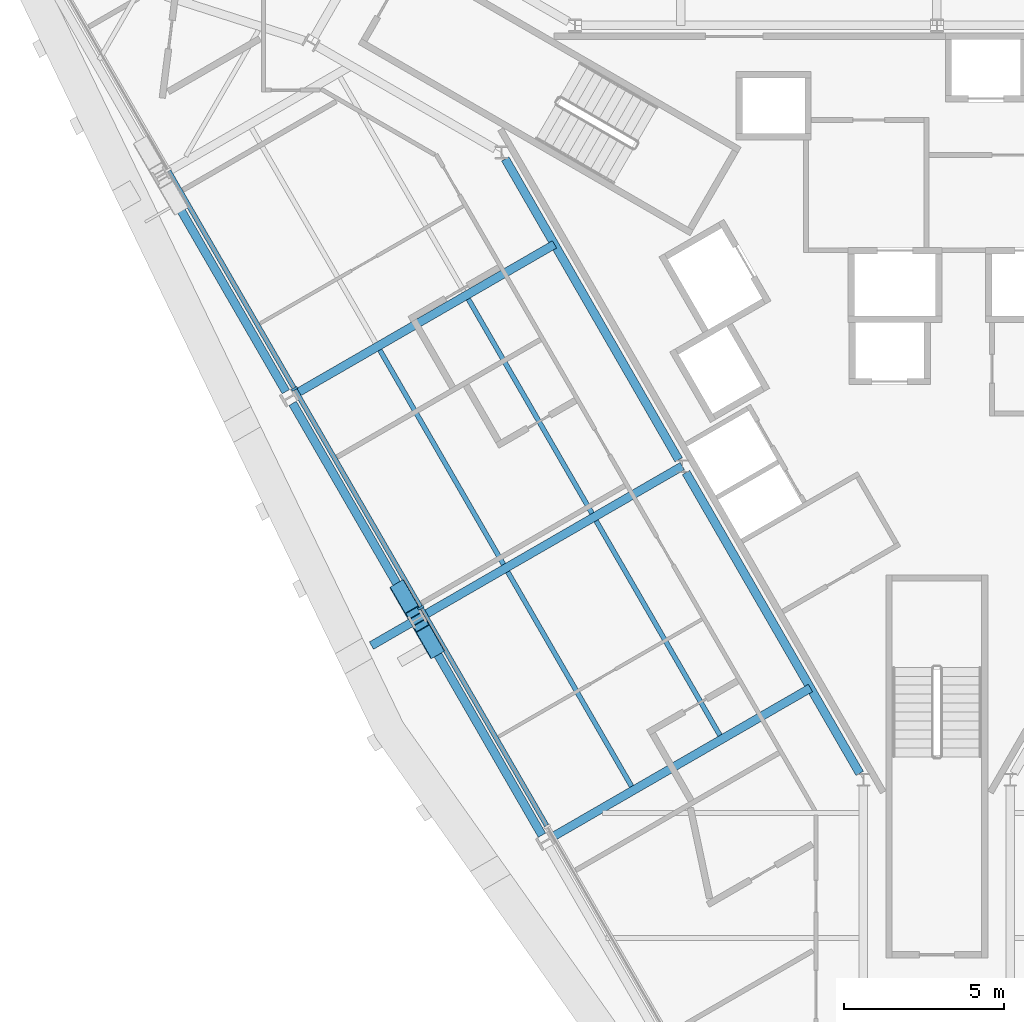
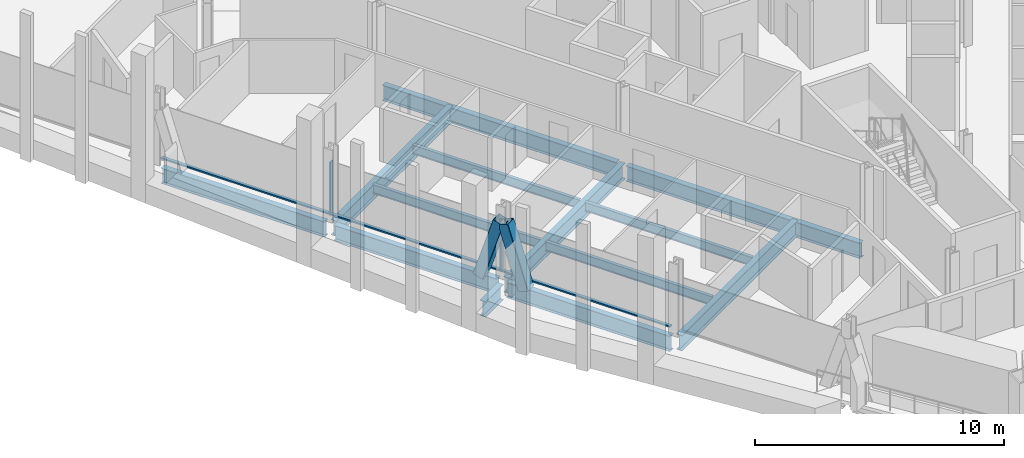
# One storey, part 4 of 16: 13 beams, 7 members, 1 element without a shape of its own.
"""IFC4 building model written with IfcOpenShell, lengths in metres."""

from ifc_helpers import new_model, si_unit, direction, frame, origin, origin_2d, place, context, subcontext, project, spatial, rectangle, hollow_rectangle, i_section, extrude, material, material_profile, profile_set, type_object, element, aggregate, save


model = new_model("IFC4")

# Units and contexts
model_context = context("Model", 3, precision=1e-05, world=origin(), true_north=direction((0.0, 1.0)))
body_context = subcontext(model_context, "Body", "Model", "MODEL_VIEW")
ifc_project = project(units=[si_unit("LENGTHUNIT", "METRE"), si_unit("AREAUNIT", "SQUARE_METRE"), si_unit("VOLUMEUNIT", "CUBIC_METRE"), si_unit("PLANEANGLEUNIT", "RADIAN"), si_unit("MASSUNIT", "GRAM", prefix="KILO")], contexts=[model_context])

# Site, building, storey
site_placement = place(None, origin())
site = spatial("IfcSite", under=ifc_project, at=site_placement, CompositionType="ELEMENT")
building_placement = place(site_placement, origin())
building = spatial("IfcBuilding", under=site, at=building_placement, Name="Verrane Prism Tower", CompositionType="ELEMENT")
storey_placement = place(building_placement, frame((0.0, 0.0, 114.39990234375)))
storey = spatial("IfcBuildingStorey", under=building, at=storey_placement, Name="L27", CompositionType="ELEMENT", Elevation=114.39990234375)

# Beams
ifc_material_1 = material(Name="Steel A992", Category="steel")
ifc_material_profile_1 = material_profile(ifc_material_1, i_section(OverallWidth=0.2666015625, OverallDepth=0.7568359375, WebThickness=0.013916015625, FlangeThickness=0.019287109375, FilletRadius=0.0166015625, at=origin_2d()), Name="W30x108")
ifc_profile_set_1 = profile_set([ifc_material_profile_1], Name="Steel A992")
beam_type_1 = type_object("IfcBeamType", Name="Core ring girder W30x108", PredefinedType="BEAM", material=ifc_profile_set_1)
beam_1_placement = place(storey_placement, frame((-13.51513671875, 5.0205078125, -0.62841796875), z_axis=(0.4993706109, -0.866388476937, 0.0), x_axis=(0.866388476937, 0.4993706109, 0.0)))
element("IfcBeam", 1, at=beam_1_placement, inside=storey, type_object=beam_type_1, Name="Core ring girder L27", PredefinedType="BEAM", context=body_context, shape_type="SweptSolid", body=[
    extrude(i_section(OverallWidth=0.2666015625, OverallDepth=0.7568359375, WebThickness=0.013916015625, FlangeThickness=0.019287109375, FilletRadius=0.0166015625, at=origin_2d()), origin(), (0.0, 0.0, 1.0), 10.8740234375),
])
beam_2_placement = place(storey_placement, frame((-7.85498046875, -4.79931640625, -0.62841796875), z_axis=(0.500034555306, -0.86600545235, 0.0), x_axis=(0.86600545235, 0.500034555306, 0.0)))
element("IfcBeam", 2, at=beam_2_placement, inside=storey, type_object=beam_type_1, Name="Core ring girder L27", PredefinedType="BEAM", context=body_context, shape_type="SweptSolid", body=[
    extrude(i_section(OverallWidth=0.2666015625, OverallDepth=0.7568359375, WebThickness=0.013916015625, FlangeThickness=0.019287109375, FilletRadius=0.0166015625, at=origin_2d()), origin(), (0.0, 0.0, 1.0), 10.879150390625),
])

# Members
ifc_material_2 = material(Name="Steel A1085 Grade A", Category="steel")
ifc_material_profile_2 = material_profile(ifc_material_2, hollow_rectangle(XDim=0.508056640625, YDim=0.508056640625, WallThickness=0.025390625, InnerFilletRadius=0.0126953125, OuterFilletRadius=0.0380859375, at=origin_2d()), Name="HSS20x20x1")
ifc_profile_set_2 = profile_set([ifc_material_profile_2], Name="Steel A1085 Grade A")
member_type_1 = type_object("IfcMemberType", Name="Facade brace HSS20x20x1", PredefinedType="BRACE", material=ifc_profile_set_2)
member_1_placement = place(storey_placement, frame((-16.7958984375, -8.47998046875, -0.242431640625), z_axis=(0.151691609864, -0.262476734873, 0.952940511862), x_axis=(0.865810220422, 0.500372523439, 0.0)))
element("IfcMember", 3, at=member_1_placement, inside=storey, type_object=member_type_1, Name="Facade brace SW2 L27", PredefinedType="BRACE", context=body_context, shape_type="SweptSolid", body=[
    extrude(hollow_rectangle(XDim=0.508056640625, YDim=0.508056640625, WallThickness=0.025390625, InnerFilletRadius=0.0126953125, OuterFilletRadius=0.0380859375, at=origin_2d()), origin(), (0.0, 0.0, 1.0), 3.109375),
])
member_2_placement = place(storey_placement, frame((-15.744140625, -10.30126953125, -0.242431640625), z_axis=(-0.151675969952, 0.262842208798, 0.95284226051), x_axis=(-0.866133898465, -0.499812034598, 0.0)))
element("IfcMember", 4, at=member_2_placement, inside=storey, type_object=member_type_1, Name="Facade brace SW3 L27", PredefinedType="BRACE", context=body_context, shape_type="SweptSolid", body=[
    extrude(hollow_rectangle(XDim=0.508056640625, YDim=0.508056640625, WallThickness=0.025390625, InnerFilletRadius=0.0126953125, OuterFilletRadius=0.0380859375, at=origin_2d()), origin(), (0.0, 0.0, 1.0), 3.10986328125),
])

# Beams
ifc_material_3 = material(Name="Steel A992", Category="steel")
ifc_material_profile_3 = material_profile(ifc_material_3, i_section(OverallWidth=0.15234375, OverallDepth=0.449462890625, WebThickness=0.007568359375, FlangeThickness=0.0107421875, FilletRadius=0.01025390625, at=origin_2d()), Name="W18x35")
ifc_profile_set_3 = profile_set([ifc_material_profile_3], Name="Steel A992")
beam_type_2 = type_object("IfcBeamType", Name="Floor beam W18x35", PredefinedType="BEAM", material=ifc_profile_set_3)
beam_3_placement = place(storey_placement, frame((-10.7978515625, -6.077880859375, -0.384765625), z_axis=(-0.499984211786, 0.866034518922, 0.0), x_axis=(-0.866034518922, -0.499984211786, 0.0)))
element("IfcBeam", 5, at=beam_3_placement, inside=storey, type_object=beam_type_2, Name="Floor beam L27", PredefinedType="BEAM", context=body_context, shape_type="SweptSolid", body=[
    extrude(i_section(OverallWidth=0.15234375, OverallDepth=0.449462890625, WebThickness=0.007568359375, FlangeThickness=0.0107421875, FilletRadius=0.01025390625, at=origin_2d()), origin(), (0.0, 0.0, 1.0), 7.750732421875),
])
beam_4_placement = place(storey_placement, frame((-13.568603515625, -7.6767578125, -0.384765625), z_axis=(-0.499981532947, 0.86603606548, 0.0), x_axis=(-0.86603606548, -0.499981532947, 0.0)))
element("IfcBeam", 6, at=beam_4_placement, inside=storey, type_object=beam_type_2, Name="Floor beam L27", PredefinedType="BEAM", context=body_context, shape_type="SweptSolid", body=[
    extrude(i_section(OverallWidth=0.15234375, OverallDepth=0.449462890625, WebThickness=0.007568359375, FlangeThickness=0.0107421875, FilletRadius=0.01025390625, at=origin_2d()), origin(), (0.0, 0.0, 1.0), 7.749267578125),
])
for number, where, z_axis, x_axis, name in (
    (7, (-6.7919921875, -13.0302734375, -0.384765625), (-0.500028499731, 0.866008948832, 0.0), (-0.866008948832, -0.500028499731, 0.0), "Floor beam L27"),
    (8, (-9.559326171875, -14.627197265625, -0.384765625), (-0.500028499731, 0.866008948832, 0.0), (-0.866008948832, -0.500028499731, 0.0), "Floor beam L27"),
):
    element("IfcBeam", number, at=place(storey_placement, frame(where, z_axis=z_axis, x_axis=x_axis)), inside=storey, type_object=beam_type_2, Name=name, PredefinedType="BEAM", context=body_context, shape_type="SweptSolid", body=[
        extrude(i_section(OverallWidth=0.15234375, OverallDepth=0.449462890625, WebThickness=0.007568359375, FlangeThickness=0.0107421875, FilletRadius=0.01025390625, at=origin_2d()), origin(), (0.0, 0.0, 1.0), 7.7568359375),
    ])

# Curtain wall, members
ifc_material_4 = material(Name="Aluminium framed insulated glazing", Category="aluminium")
curtain_wall_type = type_object("IfcCurtainWallType", Name="Curtain wall CW-A 8400 module", PredefinedType="NOTDEFINED", material=ifc_material_4)
curtain_wall_placement = place(storey_placement, origin())
curtain_wall = element("IfcCurtainWall", 9, at=curtain_wall_placement, inside=storey, type_object=curtain_wall_type, Name="Glazed curtain wall south-west face L27", PredefinedType="NOTDEFINED")
ifc_material_5 = material(Name="Aluminium alloy 6063-T6", Category="aluminium")
ifc_material_profile_4 = material_profile(ifc_material_5, rectangle(XDim=0.199951171875, YDim=0.070068359375, at=origin_2d()), Name="Mullion 70x200 aluminium")
ifc_profile_set_4 = profile_set([ifc_material_profile_4], Name="Aluminium alloy 6063-T6")
member_type_2 = type_object("IfcMemberType", Name="Mullion 70x200 aluminium", PredefinedType="MULLION", material=ifc_profile_set_4)
member_3_placement = place(storey_placement, frame((-20.115478515625, -2.1806640625, 0.0), z_axis=(0.0, 0.0, 1.0), x_axis=(0.866026054504, 0.49999887292, 0.0)))
member_3 = element("IfcMember", 10, at=member_3_placement, type_object=member_type_2, Name="CW27.4 mullion 3", PredefinedType="MULLION", context=body_context, shape_type="SweptSolid", body=[
    extrude(rectangle(XDim=0.199951171875, YDim=0.070068359375, at=origin_2d()), origin(), (0.0, 0.0, 1.0), 2.613037109375),
])
member_4_placement = place(storey_placement, frame((-16.159423828125, -9.032958984375, 0.0), z_axis=(0.0, 0.0, 1.0), x_axis=(0.866026054504, 0.49999887292, 0.0)))
member_4 = element("IfcMember", 11, at=member_4_placement, type_object=member_type_2, Name="CW27.4 mullion 4", PredefinedType="MULLION", context=body_context, shape_type="SweptSolid", body=[
    extrude(rectangle(XDim=0.199951171875, YDim=0.070068359375, at=origin_2d()), origin(), (0.0, 0.0, 1.0), 2.613037109375),
])

# Beams
ifc_material_6 = material(Name="Steel A992", Category="steel")
ifc_material_profile_5 = material_profile(ifc_material_6, i_section(OverallWidth=0.2666015625, OverallDepth=0.76708984375, WebThickness=0.014892578125, FlangeThickness=0.023681640625, FilletRadius=0.0166015625, at=origin_2d()), Name="W30x124")
ifc_profile_set_5 = profile_set([ifc_material_profile_5], Name="Steel A992")
beam_type_3 = type_object("IfcBeamType", Name="Radial girder W30x124", PredefinedType="BEAM", material=ifc_profile_set_5)
beam_5_placement = place(storey_placement, frame((-20.07421875, -2.331298828125, -0.603515625), z_axis=(0.866026073768, 0.499998839552, 0.0), x_axis=(-0.499998839552, 0.866026073768, 0.0)))
element("IfcBeam", 12, at=beam_5_placement, inside=storey, type_object=beam_type_3, Name="Radial girder L27", PredefinedType="BEAM", context=body_context, shape_type="SweptSolid", body=[
    extrude(i_section(OverallWidth=0.2666015625, OverallDepth=0.76708984375, WebThickness=0.014892578125, FlangeThickness=0.023681640625, FilletRadius=0.0166015625, at=origin_2d()), origin(), (0.0, 0.0, 1.0), 9.35400390625),
])
beam_6_placement = place(storey_placement, frame((-16.064208984375, -9.271240234375, -0.603515625), z_axis=(0.866015917575, 0.500016430238, 0.0), x_axis=(-0.500016430238, 0.866015917575, 0.0)))
element("IfcBeam", 13, at=beam_6_placement, inside=storey, type_object=beam_type_3, Name="Radial girder L27", PredefinedType="BEAM", context=body_context, shape_type="SweptSolid", body=[
    extrude(i_section(OverallWidth=0.2666015625, OverallDepth=0.76708984375, WebThickness=0.014892578125, FlangeThickness=0.023681640625, FilletRadius=0.0166015625, at=origin_2d()), origin(), (0.0, 0.0, 1.0), 9.345458984375),
])
beam_7_placement = place(storey_placement, frame((-12.05419921875, -16.22119140625, -0.603515625), z_axis=(0.866018138487, 0.500012583653, 0.0), x_axis=(-0.500012583653, 0.866018138487, 0.0)))
element("IfcBeam", 14, at=beam_7_placement, inside=storey, type_object=beam_type_3, Name="Radial girder L27", PredefinedType="BEAM", context=body_context, shape_type="SweptSolid", body=[
    extrude(i_section(OverallWidth=0.2666015625, OverallDepth=0.76708984375, WebThickness=0.014892578125, FlangeThickness=0.023681640625, FilletRadius=0.0166015625, at=origin_2d()), origin(), (0.0, 0.0, 1.0), 9.347900390625),
])
beam_8_placement = place(storey_placement, frame((-16.47216796875, -9.506591796875, -0.603515625), z_axis=(-0.865988727248, -0.500063520245, 0.0), x_axis=(0.500063520245, -0.865988727248, 0.0)))
element("IfcBeam", 15, at=beam_8_placement, inside=storey, type_object=beam_type_3, Name="Cantilever girder L27", PredefinedType="BEAM", context=body_context, shape_type="SweptSolid", body=[
    extrude(i_section(OverallWidth=0.2666015625, OverallDepth=0.76708984375, WebThickness=0.014892578125, FlangeThickness=0.023681640625, FilletRadius=0.0166015625, at=origin_2d()), origin(), (0.0, 0.0, 1.0), 1.425048828125),
])
ifc_material_7 = material(Name="Steel A992", Category="steel")
ifc_material_profile_6 = material_profile(ifc_material_7, i_section(OverallWidth=0.2666015625, OverallDepth=0.7568359375, WebThickness=0.013916015625, FlangeThickness=0.019287109375, FilletRadius=0.0166015625, at=origin_2d()), Name="W30x108")
ifc_profile_set_6 = profile_set([ifc_material_profile_6], Name="Steel A992")
beam_type_4 = type_object("IfcBeamType", Name="Spandrel beam W30x108", PredefinedType="SPANDREL", material=ifc_profile_set_6)
beam_9_placement = place(storey_placement, frame((-24.19384765625, 4.31640625, -0.538330078125), z_axis=(0.500695808248, -0.865623305834, 0.0), x_axis=(0.865623305834, 0.500695808248, 0.0)))
element("IfcBeam", 16, at=beam_9_placement, inside=storey, type_object=beam_type_4, Name="Spandrel beam L27", PredefinedType="SPANDREL", context=body_context, shape_type="SweptSolid", body=[
    extrude(i_section(OverallWidth=0.2666015625, OverallDepth=0.7568359375, WebThickness=0.013916015625, FlangeThickness=0.019287109375, FilletRadius=0.0166015625, at=origin_2d()), origin(), (0.0, 0.0, 1.0), 7.604736328125),
])
beam_10_placement = place(storey_placement, frame((-20.173828125, -2.633544921875, -0.538330078125), z_axis=(0.500279205376, -0.865864144464, 0.0), x_axis=(0.865864144464, 0.500279205376, 0.0)))
element("IfcBeam", 17, at=beam_10_placement, inside=storey, type_object=beam_type_4, Name="Spandrel beam L27", PredefinedType="SPANDREL", context=body_context, shape_type="SweptSolid", body=[
    extrude(i_section(OverallWidth=0.2666015625, OverallDepth=0.7568359375, WebThickness=0.013916015625, FlangeThickness=0.019287109375, FilletRadius=0.0166015625, at=origin_2d()), origin(), (0.0, 0.0, 1.0), 7.591064453125),
])
beam_11_placement = place(storey_placement, frame((-16.1640625, -9.57373046875, -0.538330078125), z_axis=(0.499770658239, -0.866157773828, 0.0), x_axis=(0.866157773828, 0.499770658239, 0.0)))
element("IfcBeam", 18, at=beam_11_placement, inside=storey, type_object=beam_type_4, Name="Spandrel beam L27", PredefinedType="SPANDREL", context=body_context, shape_type="SweptSolid", body=[
    extrude(i_section(OverallWidth=0.2666015625, OverallDepth=0.7568359375, WebThickness=0.013916015625, FlangeThickness=0.019287109375, FilletRadius=0.0166015625, at=origin_2d()), origin(), (0.0, 0.0, 1.0), 7.599609375),
])

# Member
ifc_material_8 = material(Name="Aluminium alloy 6063-T6", Category="aluminium")
ifc_material_profile_7 = material_profile(ifc_material_8, rectangle(XDim=0.14990234375, YDim=0.070068359375, at=origin_2d()), Name="Transom 70x150 aluminium")
ifc_profile_set_7 = profile_set([ifc_material_profile_7], Name="Aluminium alloy 6063-T6")
member_type_3 = type_object("IfcMemberType", Name="Transom 70x150 aluminium", PredefinedType="USERDEFINED", material=ifc_profile_set_7)
member_5_placement = place(storey_placement, frame((-24.05419921875, 4.641357421875, 0.03515625), z_axis=(0.499992828865, -0.866029544001, 0.0), x_axis=(0.866029544001, 0.499992828865, 0.0)))
member_5 = element("IfcMember", 19, at=member_5_placement, type_object=member_type_3, Name="CW27.4 transom 2", ObjectType="TRANSOM", PredefinedType="USERDEFINED", context=body_context, shape_type="SweptSolid", body=[
    extrude(rectangle(XDim=0.14990234375, YDim=0.070068359375, at=origin_2d()), origin(), (0.0, 0.0, 1.0), 7.84228515625),
])

member_6_placement = place(storey_placement, frame((-20.09814453125, -2.2109375, 0.03515625), z_axis=(0.499992828865, -0.866029544001, 0.0), x_axis=(0.866029544001, 0.499992828865, 0.0)))
member_6 = element("IfcMember", 20, at=member_6_placement, type_object=member_type_3, Name="CW27.4 transom 3", ObjectType="TRANSOM", PredefinedType="USERDEFINED", context=body_context, shape_type="SweptSolid", body=[
    extrude(rectangle(XDim=0.14990234375, YDim=0.070068359375, at=origin_2d()), origin(), (0.0, 0.0, 1.0), 7.84228515625),
])

member_7_placement = place(storey_placement, frame((-16.141845703125, -9.0634765625, 0.03515625), z_axis=(0.499992828865, -0.866029544001, 0.0), x_axis=(0.866029544001, 0.499992828865, 0.0)))
member_7 = element("IfcMember", 21, at=member_7_placement, type_object=member_type_3, Name="CW27.4 transom 4", ObjectType="TRANSOM", PredefinedType="USERDEFINED", context=body_context, shape_type="SweptSolid", body=[
    extrude(rectangle(XDim=0.14990234375, YDim=0.070068359375, at=origin_2d()), origin(), (0.0, 0.0, 1.0), 7.84228515625),
])

aggregate(curtain_wall, [member_3, member_4, member_5, member_6, member_7])

save(model, "model.ifc")
